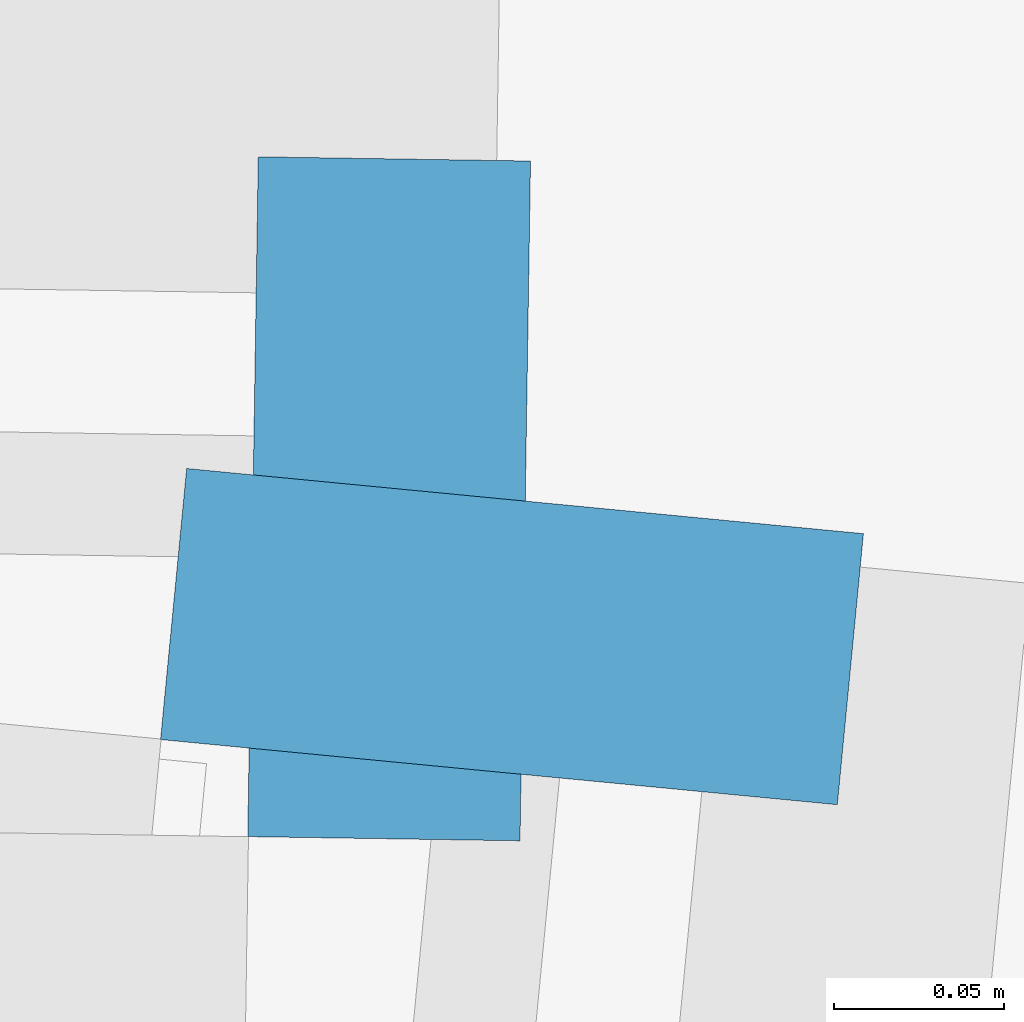
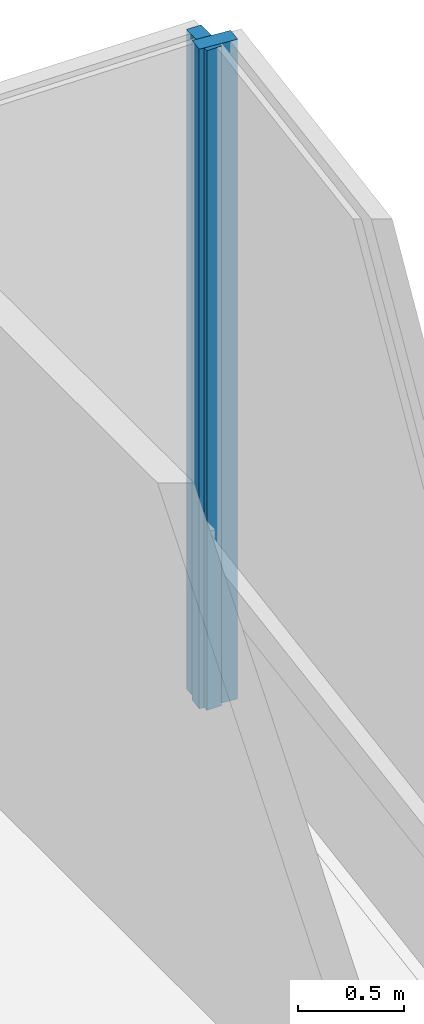
# One storey, part 6 of 12: 2 members, 2 elements without a shape of their own.
"""IFC4 building model written with IfcOpenShell, lengths in metres."""

from ifc_helpers import new_model, si_unit, direction, frame, origin, origin_2d, place, context, subcontext, project, spatial, rectangle, extrude, material, layer, layer_set, material_profile, profile_set, type_object, element, aggregate, save


model = new_model("IFC4")

# Units and contexts
model_context = context("Model", 3, precision=1e-05, world=origin(), true_north=direction((0.0, 1.0)))
body_context = subcontext(model_context, "Body", "Model", "MODEL_VIEW")
ifc_project = project(units=[si_unit("LENGTHUNIT", "METRE"), si_unit("AREAUNIT", "SQUARE_METRE"), si_unit("VOLUMEUNIT", "CUBIC_METRE"), si_unit("PLANEANGLEUNIT", "RADIAN"), si_unit("MASSUNIT", "GRAM", prefix="KILO")], contexts=[model_context])

# Site, building, storey
site_placement = place(None, origin())
site = spatial("IfcSite", under=ifc_project, at=site_placement, CompositionType="ELEMENT")
building_placement = place(site_placement, origin())
building = spatial("IfcBuilding", under=site, at=building_placement, Name="Welwitschia Terrace Campus", CompositionType="ELEMENT")
storey_placement = place(building_placement, frame((0.0, 0.0, 134.0)))
storey = spatial("IfcBuildingStorey", under=building, at=storey_placement, Name="L30", CompositionType="ELEMENT", Elevation=134.0)

# Curtain wall, member
ifc_material_1 = material(Name="Bronze anodised aluminium", Category="aluminium")
ifc_layer = layer(ifc_material_1, 0.199951171875)
ifc_layer_set = layer_set([ifc_layer], Name="Bronze anodised aluminium")
curtain_wall_type = type_object("IfcCurtainWallType", Name="Curtain wall CW6 plant floor 6000", PredefinedType="NOTDEFINED", material=ifc_layer_set)
curtain_wall_1_placement = place(storey_placement, origin())
curtain_wall_1 = element("IfcCurtainWall", 1, at=curtain_wall_1_placement, inside=storey, type_object=curtain_wall_type, Name="CW L30.10.0", PredefinedType="NOTDEFINED")
ifc_material_2 = material(Name="Bronze anodised aluminium", Category="aluminium")
ifc_material_profile = material_profile(ifc_material_2, rectangle(XDim=0.199951171875, YDim=0.080078125, at=origin_2d()))
ifc_profile_set = profile_set([ifc_material_profile], Name="Bronze anodised aluminium")
member_type = type_object("IfcMemberType", Name="Mullion 80x200", PredefinedType="MULLION", material=ifc_profile_set)
member_1_placement = place(storey_placement, frame((28.7041015625, 70.640869140625, 0.0), z_axis=(0.0, 0.0, 1.0), x_axis=(-0.995396198367, 0.09584575252, 0.0)))
member_1 = element("IfcMember", 2, at=member_1_placement, type_object=member_type, Name="Mullion L30.10.0.6", PredefinedType="MULLION", context=body_context, shape_type="SweptSolid", body=[
    extrude(rectangle(XDim=0.199951171875, YDim=0.080078125, at=origin_2d()), origin(), (0.0, 0.0, 1.0), 3.800048828125),
])
aggregate(curtain_wall_1, [member_1])

curtain_wall_2_placement = place(storey_placement, origin())
curtain_wall_2 = element("IfcCurtainWall", 3, at=curtain_wall_2_placement, inside=storey, type_object=curtain_wall_type, Name="CW L30.11.0", PredefinedType="NOTDEFINED")
member_2_placement = place(storey_placement, frame((28.66796875, 70.681396484375, 0.0), z_axis=(0.0, 0.0, 1.0), x_axis=(-0.015432786585, -0.999880907458, 0.0)))
member_2 = element("IfcMember", 4, at=member_2_placement, type_object=member_type, Name="Mullion L30.11.0.0", PredefinedType="MULLION", context=body_context, shape_type="SweptSolid", body=[
    extrude(rectangle(XDim=0.199951171875, YDim=0.080078125, at=origin_2d()), origin(), (0.0, 0.0, 1.0), 3.800048828125),
])
aggregate(curtain_wall_2, [member_2])

save(model, "model.ifc")
